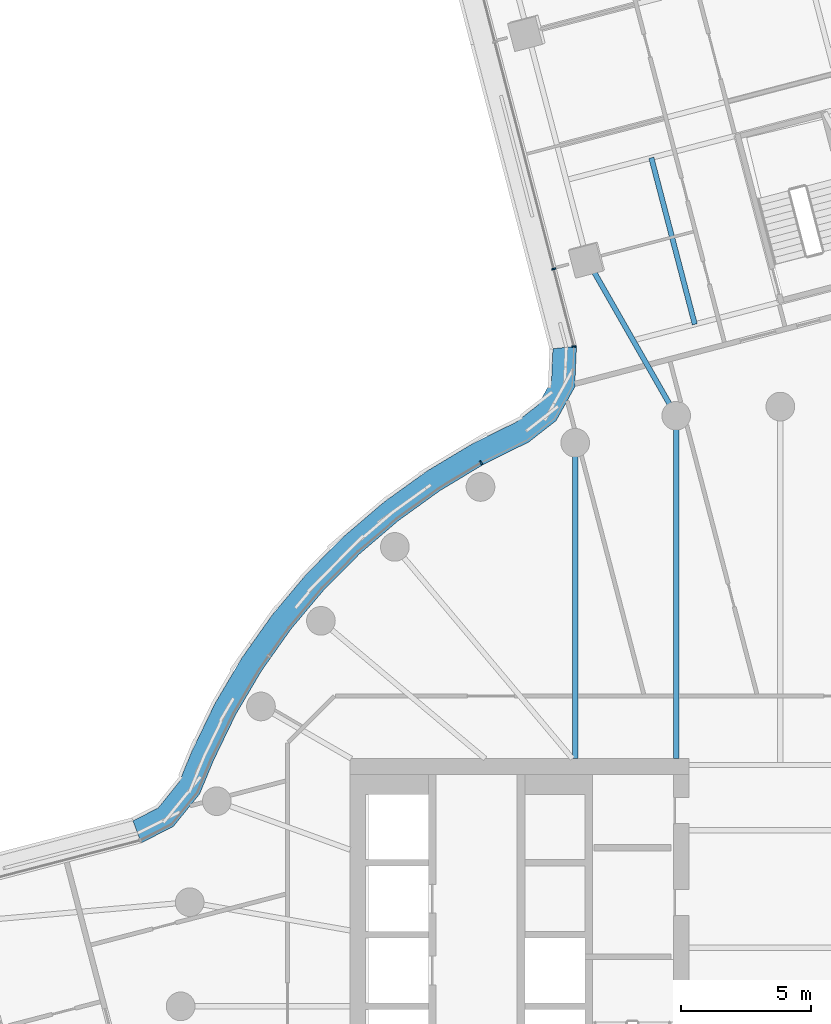
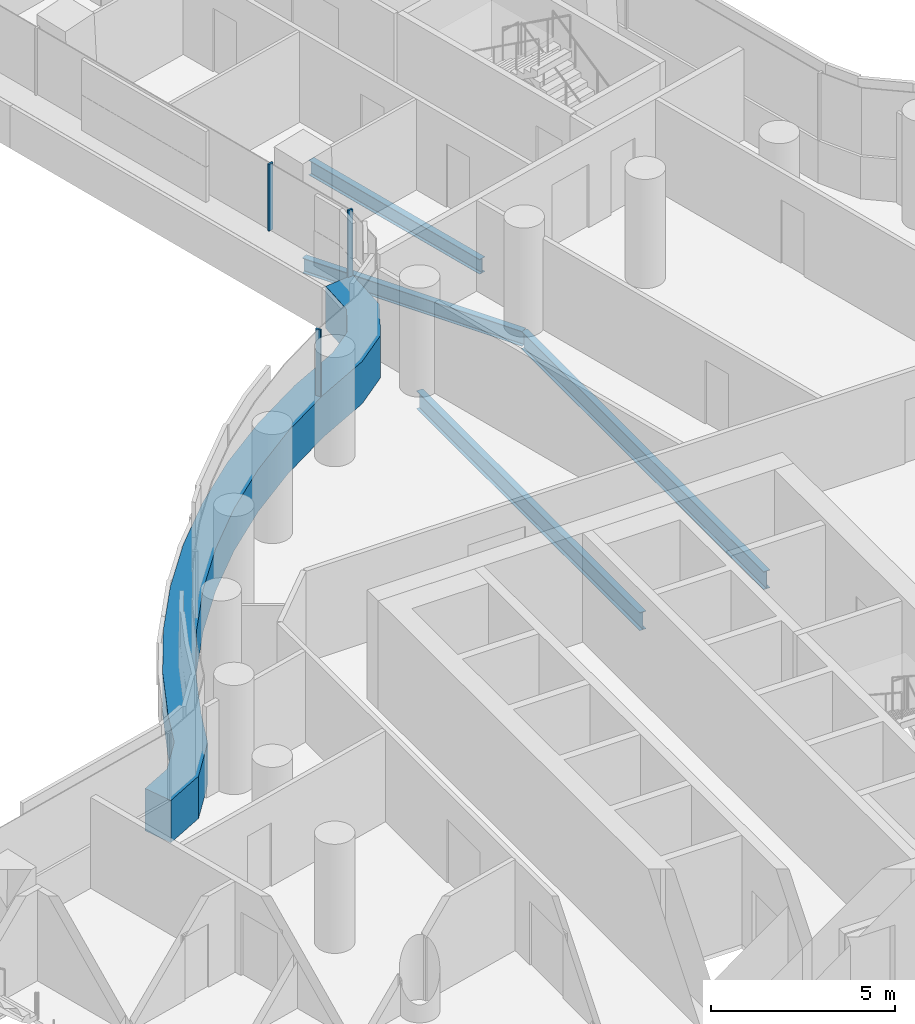
# One storey, part 13 of 30: 4 beams, 4 members, 2 elements without a shape of their own.
"""IFC4 building model written with IfcOpenShell, lengths in metres."""

from ifc_helpers import new_model, si_unit, direction, frame, origin, origin_2d, place, context, subcontext, project, spatial, polyline, rectangle, i_section, outline, extrude, material, layer, layer_set, material_profile, profile_set, type_object, element, aggregate, save


model = new_model("IFC4")

# Units and contexts
model_context = context("Model", 3, precision=1e-05, world=origin(), true_north=direction((0.0, 1.0)))
body_context = subcontext(model_context, "Body", "Model", "MODEL_VIEW")
ifc_project = project(units=[si_unit("LENGTHUNIT", "METRE"), si_unit("AREAUNIT", "SQUARE_METRE"), si_unit("VOLUMEUNIT", "CUBIC_METRE"), si_unit("PLANEANGLEUNIT", "RADIAN"), si_unit("MASSUNIT", "GRAM", prefix="KILO")], contexts=[model_context])

# Site, building, storey
site_placement = place(None, origin())
site = spatial("IfcSite", under=ifc_project, at=site_placement, CompositionType="ELEMENT")
building_placement = place(site_placement, origin())
building = spatial("IfcBuilding", under=site, at=building_placement, Name="Tamarind Cross Interchange Tower", CompositionType="ELEMENT")
storey_placement = place(building_placement, frame((0.0, 0.0, 87.25)))
storey = spatial("IfcBuildingStorey", under=building, at=storey_placement, Name="L20", CompositionType="ELEMENT", Elevation=87.25)

# Beams
ifc_material_1 = material(Name="Steel Q355B", Category="steel")
ifc_material_profile_1 = material_profile(ifc_material_1, i_section(OverallWidth=0.198974609375, OverallDepth=0.49609375, WebThickness=0.009033203125, FlangeThickness=0.013916015625, FilletRadius=0.012939453125, at=origin_2d()), Name="HN 496x199x9x14")
ifc_profile_set_1 = profile_set([ifc_material_profile_1], Name="Steel Q355B")
beam_type_1 = type_object("IfcBeamType", Name="Composite beam HN 496x199x9x14 Q355B", PredefinedType="BEAM", material=ifc_profile_set_1)
beam_1_placement = place(storey_placement, frame((-7.417724609375, 28.64208984375, -0.387939453125), z_axis=(0.496154178437, -0.86823443333, 0.0), x_axis=(0.86823443333, 0.496154178437, 0.0)))
element("IfcBeam", 1, at=beam_1_placement, inside=storey, type_object=beam_type_1, Name="Beam N-linkep", PredefinedType="BEAM", context=body_context, shape_type="SweptSolid", body=[
    extrude(i_section(OverallWidth=0.198974609375, OverallDepth=0.49609375, WebThickness=0.009033203125, FlangeThickness=0.013916015625, FilletRadius=0.012939453125, at=origin_2d()), origin(), (0.0, 0.0, 1.0), 6.900634765625),
])
beam_2_placement = place(storey_placement, frame((-3.281005859375, 26.15625, -0.387939453125), z_axis=(-0.252506224464, 0.967595270042, 0.0), x_axis=(-0.967595270042, -0.252506224464, 0.0)))
element("IfcBeam", 2, at=beam_2_placement, inside=storey, type_object=beam_type_1, Name="Beam N-stripp", PredefinedType="BEAM", context=body_context, shape_type="SweptSolid", body=[
    extrude(i_section(OverallWidth=0.198974609375, OverallDepth=0.49609375, WebThickness=0.009033203125, FlangeThickness=0.013916015625, FilletRadius=0.012939453125, at=origin_2d()), origin(), (0.0, 0.0, 1.0), 6.599853515625),
])
ifc_material_profile_2 = material_profile(ifc_material_1, i_section(OverallWidth=0.198974609375, OverallDepth=0.595947265625, WebThickness=0.010009765625, FlangeThickness=0.014892578125, FilletRadius=0.012939453125, at=origin_2d()), Name="HN 596x199x10x15")
ifc_profile_set_2 = profile_set([ifc_material_profile_2], Name="Steel Q355B")
beam_type_2 = type_object("IfcBeamType", Name="Composite beam HN 596x199x10x15 Q355B", PredefinedType="BEAM", material=ifc_profile_set_2)
beam_3_placement = place(storey_placement, frame((-3.993896484375, 22.650634765625, -0.43798828125), z_axis=(0.0, -1.0, 0.0), x_axis=(1.0, 0.0, 0.0)))
element("IfcBeam", 3, at=beam_3_placement, inside=storey, type_object=beam_type_2, Name="Beam HH10", PredefinedType="BEAM", context=body_context, shape_type="SweptSolid", body=[
    extrude(i_section(OverallWidth=0.198974609375, OverallDepth=0.595947265625, WebThickness=0.010009765625, FlangeThickness=0.014892578125, FilletRadius=0.012939453125, at=origin_2d()), origin(), (0.0, 0.0, 1.0), 13.150634765625),
])
beam_4_placement = place(storey_placement, frame((-7.866455078125, 21.613037109375, -0.43798828125), z_axis=(0.0, -1.0, 0.0), x_axis=(1.0, 0.0, 0.0)))
element("IfcBeam", 4, at=beam_4_placement, inside=storey, type_object=beam_type_2, Name="Beam HH11", PredefinedType="BEAM", context=body_context, shape_type="SweptSolid", body=[
    extrude(i_section(OverallWidth=0.198974609375, OverallDepth=0.595947265625, WebThickness=0.010009765625, FlangeThickness=0.014892578125, FilletRadius=0.012939453125, at=origin_2d()), origin(), (0.0, 0.0, 1.0), 12.113037109375),
])

# Curtain wall, member
ifc_material_2 = material(Name="Aluminium 6063-T6", Category="aluminium")
ifc_layer = layer(ifc_material_2, 0.159912109375)
ifc_layer_set = layer_set([ifc_layer], Name="Aluminium 6063-T6")
curtain_wall_type = type_object("IfcCurtainWallType", Name="Office curtain wall, 9.0 m bays", PredefinedType="NOTDEFINED", material=ifc_layer_set)
curtain_wall_1_placement = place(storey_placement, origin())
curtain_wall_1 = element("IfcCurtainWall", 5, at=curtain_wall_1_placement, inside=storey, type_object=curtain_wall_type, Name="CWS-L20-02", PredefinedType="NOTDEFINED")
ifc_material_3 = material(Name="Aluminium and insulated spandrel panel", Category="aluminium")
member_type_1 = type_object("IfcMemberType", Name="Floor-edge blade transom", PredefinedType="USERDEFINED", material=ifc_material_3)
member_1_placement = place(storey_placement, origin())
member_1 = element("IfcMember", 6, at=member_1_placement, type_object=member_type_1, Name="CWT-L20-02", ObjectType="TRANSOM", PredefinedType="USERDEFINED", context=body_context, shape_type="SweptSolid", body=[
    extrude(outline(polyline([(-7.81689453125, 25.316650390625), (-7.88427734375, 23.747802734375), (-8.59765625, 22.460693359375), (-9.649169921875, 21.640625), (-11.367431640625, 20.791015625), (-13.045654296875, 19.78125), (-14.634521484375, 18.636474609375), (-16.12353515625, 17.3642578125), (-17.50244140625, 15.973388671875), (-18.76171875, 14.4736328125), (-19.892822265625, 12.874755859375), (-20.88818359375, 11.188232421875), (-21.7421875, 9.421630859375), (-22.27197265625, 8.141845703125), (-23.281982421875, 6.892333984375), (-24.509521484375, 6.26953125), (-24.83056640625, 7.11572265625), (-23.86083984375, 7.60791015625), (-23.0537109375, 8.6064453125), (-22.56396484375, 9.7900390625), (-21.68212890625, 11.613525390625), (-20.64892578125, 13.3642578125), (-19.474853515625, 15.023681640625), (-18.167724609375, 16.580810546875), (-16.736572265625, 18.0244140625), (-15.19091796875, 19.344970703125), (-13.54150390625, 20.533203125), (-11.799560546875, 21.581298828125), (-10.13037109375, 22.40673828125), (-9.2958984375, 23.057373046875), (-8.7744140625, 23.99853515625), (-8.721923828125, 25.220703125), (-7.81689453125, 25.316650390625)])), origin(), (0.0, 0.0, 1.0), 1.39990234375),
])

curtain_wall_2_placement = place(storey_placement, origin())
curtain_wall_2 = element("IfcCurtainWall", 7, at=curtain_wall_2_placement, inside=storey, type_object=curtain_wall_type, Name="CWS-L20-01", PredefinedType="NOTDEFINED")
ifc_material_profile_3 = material_profile(ifc_material_2, rectangle(XDim=0.06005859375, YDim=0.159912109375, at=origin_2d()), Name="Mullion CW1")
ifc_profile_set_3 = profile_set([ifc_material_profile_3], Name="Aluminium 6063-T6")
member_type_2 = type_object("IfcMemberType", Name="Mullion CW1", PredefinedType="MULLION", material=ifc_profile_set_3)
member_2_placement = place(storey_placement, frame((-8.689453125, 28.279541015625, 1.39990234375), z_axis=(0.0, 0.0, 1.0), x_axis=(0.251267008723, -0.967917811763, 0.0)))
member_2 = element("IfcMember", 8, at=member_2_placement, type_object=member_type_2, Name="CWM-L20-01-02", PredefinedType="MULLION", context=body_context, shape_type="SweptSolid", body=[
    extrude(rectangle(XDim=0.06005859375, YDim=0.159912109375, at=origin_2d()), origin(), (0.0, 0.0, 1.0), 2.210205078125),
])
aggregate(curtain_wall_2, [member_2])

# Member
member_3_placement = place(storey_placement, frame((-7.91748046875, 25.305908203125, 1.39990234375), z_axis=(0.0, 0.0, 1.0), x_axis=(0.105306236533, -0.994439840587, 0.0)))
member_3 = element("IfcMember", 9, at=member_3_placement, type_object=member_type_2, Name="CWM-L20-02-00", PredefinedType="MULLION", context=body_context, shape_type="SweptSolid", body=[
    extrude(rectangle(XDim=0.06005859375, YDim=0.159912109375, at=origin_2d()), origin(), (0.0, 0.0, 1.0), 2.210205078125),
])

member_4_placement = place(storey_placement, frame((-11.475341796875, 20.8427734375, 1.39990234375), z_axis=(0.0, 0.0, 1.0), x_axis=(-0.856843065292, -0.515577308909, 0.0)))
member_4 = element("IfcMember", 10, at=member_4_placement, type_object=member_type_2, Name="CWM-L20-02-01", PredefinedType="MULLION", context=body_context, shape_type="SweptSolid", body=[
    extrude(rectangle(XDim=0.06005859375, YDim=0.159912109375, at=origin_2d()), origin(), (0.0, 0.0, 1.0), 2.210205078125),
])

aggregate(curtain_wall_1, [member_3, member_4, member_1])

save(model, "model.ifc")
